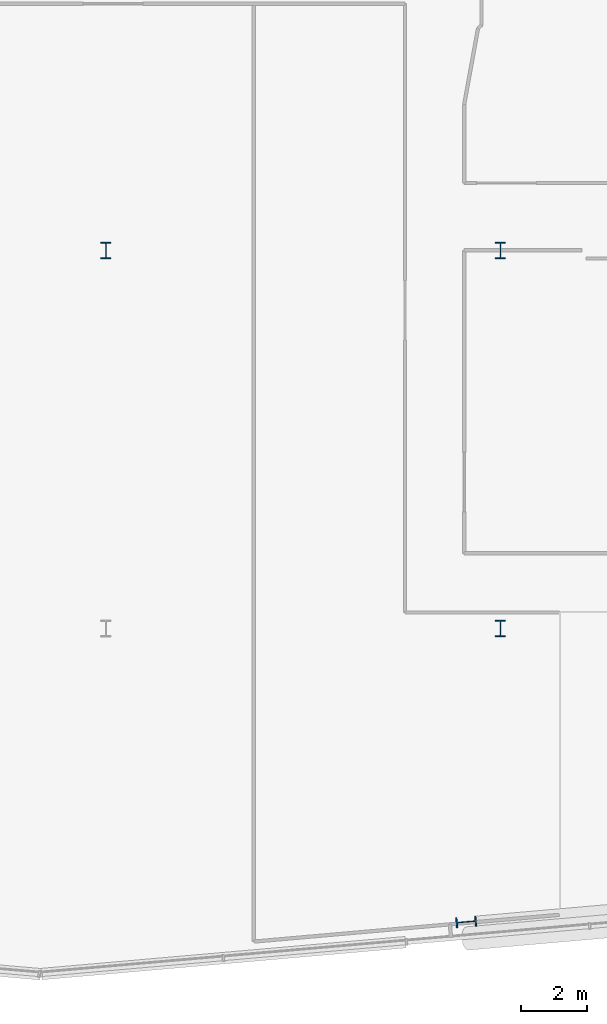
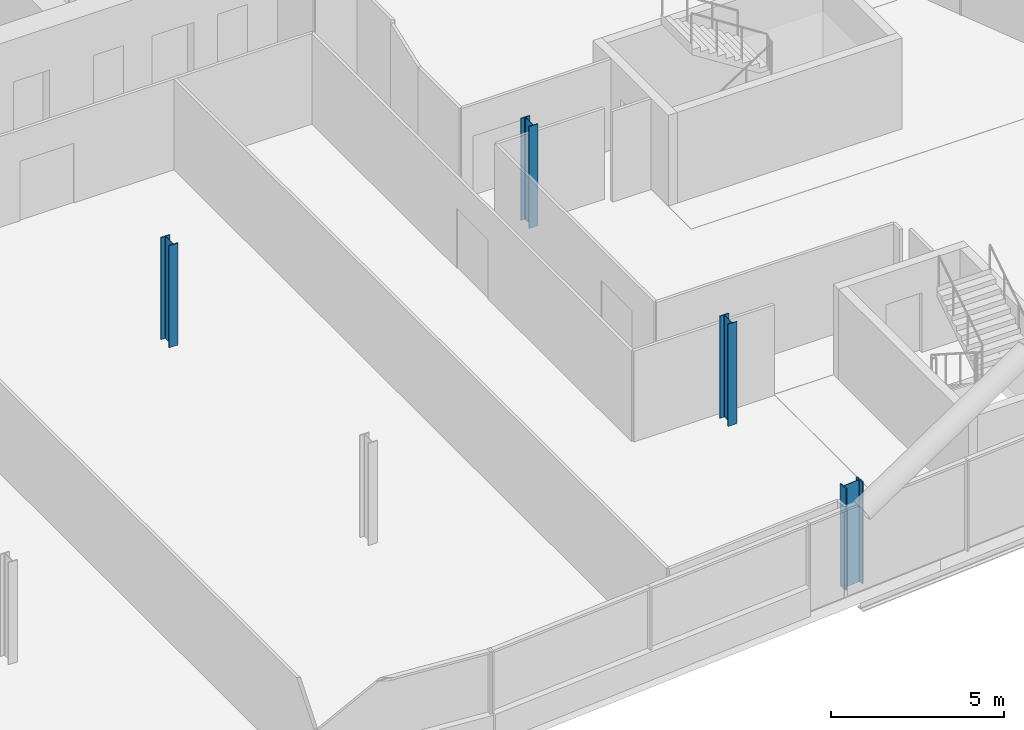
# One storey, part 2 of 26: 4 columns.
"""IFC4 building model written with IfcOpenShell, lengths in metres."""

from ifc_helpers import new_model, si_unit, direction, frame, origin, origin_2d, place, context, subcontext, project, spatial, i_section, extrude, material, material_profile, profile_set, type_object, element, save


model = new_model("IFC4")

# Units and contexts
model_context = context("Model", 3, precision=1e-05, world=origin(), true_north=direction((0.0, 1.0)))
body_context = subcontext(model_context, "Body", "Model", "MODEL_VIEW")
ifc_project = project(units=[si_unit("LENGTHUNIT", "METRE"), si_unit("AREAUNIT", "SQUARE_METRE"), si_unit("VOLUMEUNIT", "CUBIC_METRE"), si_unit("PLANEANGLEUNIT", "RADIAN"), si_unit("MASSUNIT", "GRAM", prefix="KILO")], contexts=[model_context])

# Site, building, storey
site_placement = place(None, origin())
site = spatial("IfcSite", under=ifc_project, at=site_placement, CompositionType="ELEMENT")
building_placement = place(site_placement, origin())
building = spatial("IfcBuilding", under=site, at=building_placement, Name="Wharfspan Tower", CompositionType="ELEMENT")
storey_placement = place(building_placement, frame((0.0, 0.0, 184.300049)))
storey = spatial("IfcBuildingStorey", under=building, at=storey_placement, Name="L45", CompositionType="ELEMENT", Elevation=184.300049)

# Columns
ifc_material = material(Name="Steel S355J2", Category="steel")
ifc_material_profile_1 = material_profile(ifc_material, i_section(OverallWidth=0.300049, OverallDepth=0.5, WebThickness=0.014404, FlangeThickness=0.028076, FilletRadius=0.0271, at=origin_2d()))
ifc_profile_set_1 = profile_set([ifc_material_profile_1], Name="Steel S355J2")
column_type_1 = type_object("IfcColumnType", Name="Column HEB 500", PredefinedType="COLUMN", material=ifc_profile_set_1)
for number, where, z_axis, x_axis, name in (
    (1, (60.0, 11.5, 0.0), (0.0, 0.0, 1.0), (1.0, 0.0, 0.0), "Interior column I.1.4 L45"),
    (2, (48.0, 23.0, 0.0), (0.0, 0.0, 1.0), (1.0, 0.0, 0.0), "Interior column I.2.3 L45"),
    (3, (60.0, 23.0, 0.0), (0.0, 0.0, 1.0), (1.0, 0.0, 0.0), "Interior column I.2.4 L45"),
):
    element("IfcColumn", number, at=place(storey_placement, frame(where, z_axis=z_axis, x_axis=x_axis)), inside=storey, type_object=column_type_1, Name=name, PredefinedType="COLUMN", context=body_context, shape_type="SweptSolid", body=[
        extrude(i_section(OverallWidth=0.300049, OverallDepth=0.5, WebThickness=0.014404, FlangeThickness=0.028076, FilletRadius=0.0271, at=origin_2d()), origin(), (0.0, 0.0, 1.0), 3.599854),
    ])
ifc_material_profile_2 = material_profile(ifc_material, i_section(OverallWidth=0.304932, OverallDepth=0.620117, WebThickness=0.020996, FlangeThickness=0.040039, FilletRadius=0.0271, at=origin_2d()))
ifc_profile_set_2 = profile_set([ifc_material_profile_2], Name="Steel S355J2")
column_type_2 = type_object("IfcColumnType", Name="Column HEM 600", PredefinedType="COLUMN", material=ifc_profile_set_2)
column_placement = place(storey_placement, frame((58.960693, 2.573486, 0.0), z_axis=(0.0, 0.0, 1.0), x_axis=(0.087156, -0.996198, 0.0)))
element("IfcColumn", 4, at=column_placement, inside=storey, type_object=column_type_2, Name="Perimeter column PS2.1 L45", PredefinedType="COLUMN", context=body_context, shape_type="SweptSolid", body=[
    extrude(i_section(OverallWidth=0.304932, OverallDepth=0.620117, WebThickness=0.020996, FlangeThickness=0.040039, FilletRadius=0.0271, at=origin_2d()), origin(), (0.0, 0.0, 1.0), 3.599854),
])

save(model, "model.ifc")
